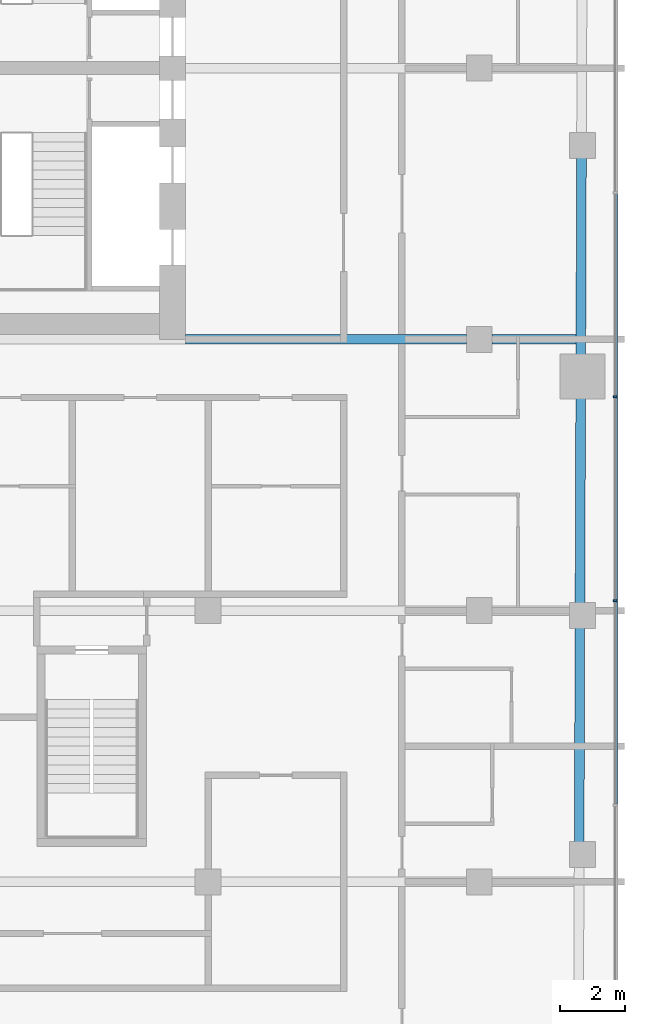
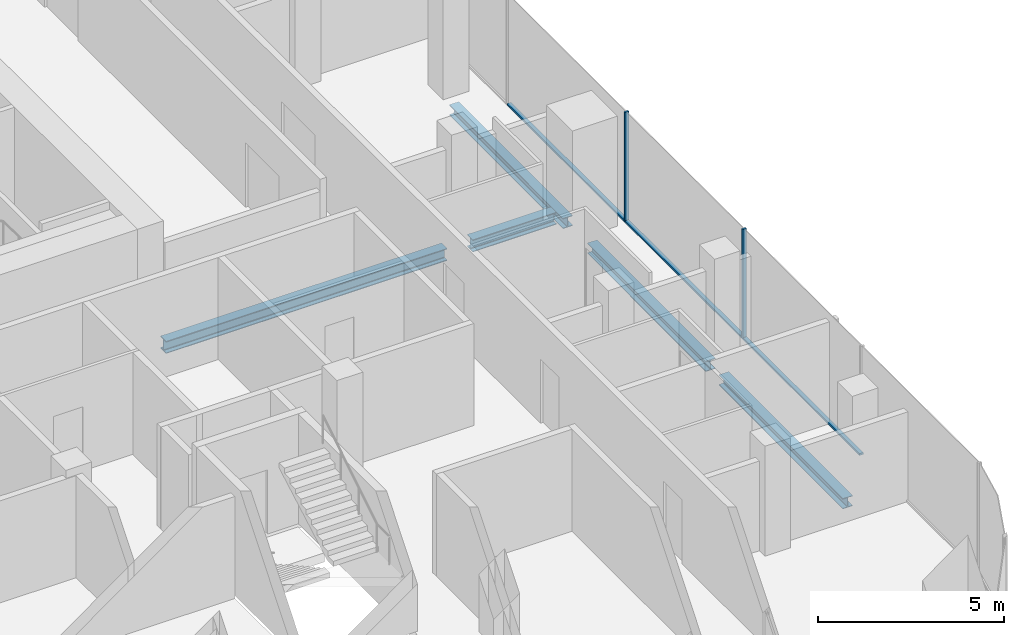
# One storey, part 7 of 22: 5 beams, 5 members, 1 element without a shape of its own.
"""IFC4 building model written with IfcOpenShell, lengths in metres."""

from ifc_helpers import new_model, si_unit, direction, frame, origin, origin_2d, place, context, subcontext, project, spatial, rectangle, i_section, extrude, material, layer, layer_set, material_profile, profile_set, type_object, element, aggregate, save


model = new_model("IFC4")

# Units and contexts
model_context = context("Model", 3, precision=1e-05, world=origin(), true_north=direction((0.0, 1.0)))
body_context = subcontext(model_context, "Body", "Model", "MODEL_VIEW")
ifc_project = project(units=[si_unit("LENGTHUNIT", "METRE"), si_unit("AREAUNIT", "SQUARE_METRE"), si_unit("VOLUMEUNIT", "CUBIC_METRE"), si_unit("PLANEANGLEUNIT", "RADIAN"), si_unit("MASSUNIT", "GRAM", prefix="KILO")], contexts=[model_context])

# Site, building, storey
site_placement = place(None, origin())
site = spatial("IfcSite", under=ifc_project, at=site_placement, CompositionType="ELEMENT")
building_placement = place(site_placement, origin())
building = spatial("IfcBuilding", under=site, at=building_placement, Name="Marenta Gate Hotel Tower", CompositionType="ELEMENT")
storey_placement = place(building_placement, frame((0.0, 0.0, 223.699951171875)))
storey = spatial("IfcBuildingStorey", under=building, at=storey_placement, Name="L52", CompositionType="ELEMENT", Elevation=223.699951171875)

# Beams
ifc_material_1 = material(Name="Steel S355", Category="steel")
ifc_material_profile_1 = material_profile(ifc_material_1, i_section(OverallWidth=0.300048828125, OverallDepth=0.340087890625, WebThickness=0.011962890625, FlangeThickness=0.021484375, FilletRadius=0.027099609375, at=origin_2d()), Name="HEB 340")
ifc_profile_set_1 = profile_set([ifc_material_profile_1], Name="Steel S355")
beam_type_1 = type_object("IfcBeamType", Name="Edge beam HEB 340", PredefinedType="SPANDREL", material=ifc_profile_set_1)
beam_1_placement = place(storey_placement, frame((24.164306640625, 5.643310546875, -0.429931640625), z_axis=(-0.003303859048, -0.999994542243, 0.0), x_axis=(0.999994542243, -0.003303859048, 0.0)))
element("IfcBeam", 1, at=beam_1_placement, inside=storey, type_object=beam_type_1, Name="L52-EB-24", PredefinedType="SPANDREL", context=body_context, shape_type="SweptSolid", body=[
    extrude(i_section(OverallWidth=0.300048828125, OverallDepth=0.340087890625, WebThickness=0.011962890625, FlangeThickness=0.021484375, FilletRadius=0.027099609375, at=origin_2d()), origin(), (0.0, 0.0, 1.0), 6.13330078125),
])
beam_2_placement = place(storey_placement, frame((24.1396484375, -1.81005859375, -0.429931640625), z_axis=(-0.003328723523, -0.999994459785, 0.0), x_axis=(0.999994459785, -0.003328723523, 0.0)))
element("IfcBeam", 2, at=beam_2_placement, inside=storey, type_object=beam_type_1, Name="L52-EB-25", PredefinedType="SPANDREL", context=body_context, shape_type="SweptSolid", body=[
    extrude(i_section(OverallWidth=0.300048828125, OverallDepth=0.340087890625, WebThickness=0.011962890625, FlangeThickness=0.021484375, FilletRadius=0.027099609375, at=origin_2d()), origin(), (0.0, 0.0, 1.0), 6.380859375),
])
beam_3_placement = place(storey_placement, frame((24.115966796875, -8.910888671875, -0.429931640625), z_axis=(-0.00332539729, -0.999994470851, 0.0), x_axis=(0.999994470851, -0.00332539729, 0.0)))
element("IfcBeam", 3, at=beam_3_placement, inside=storey, type_object=beam_type_1, Name="L52-EB-26", PredefinedType="SPANDREL", context=body_context, shape_type="SweptSolid", body=[
    extrude(i_section(OverallWidth=0.300048828125, OverallDepth=0.340087890625, WebThickness=0.011962890625, FlangeThickness=0.021484375, FilletRadius=0.027099609375, at=origin_2d()), origin(), (0.0, 0.0, 1.0), 6.680908203125),
])
ifc_material_2 = material(Name="Steel S355", Category="steel")
ifc_material_profile_2 = material_profile(ifc_material_2, i_section(OverallWidth=0.300048828125, OverallDepth=0.39990234375, WebThickness=0.013427734375, FlangeThickness=0.02392578125, FilletRadius=0.027099609375, at=origin_2d()), Name="HEB 400")
ifc_profile_set_2 = profile_set([ifc_material_profile_2], Name="Steel S355")
beam_type_2 = type_object("IfcBeamType", Name="Girder HEB 400", PredefinedType="BEAM", material=ifc_profile_set_2)
beam_4_placement = place(storey_placement, frame((11.89990234375, 0.0, -0.4599609375), z_axis=(1.0, 0.0, 0.0), x_axis=(0.0, 1.0, 0.0)))
element("IfcBeam", 4, at=beam_4_placement, inside=storey, type_object=beam_type_2, Name="L52-GD-23", PredefinedType="BEAM", context=body_context, shape_type="SweptSolid", body=[
    extrude(i_section(OverallWidth=0.300048828125, OverallDepth=0.39990234375, WebThickness=0.013427734375, FlangeThickness=0.02392578125, FilletRadius=0.027099609375, at=origin_2d()), origin(), (0.0, 0.0, 1.0), 8.7001953125),
])
beam_5_placement = place(storey_placement, frame((21.39990234375, 0.0, -0.4599609375), z_axis=(1.0, 0.0, 0.0), x_axis=(0.0, 1.0, 0.0)))
element("IfcBeam", 5, at=beam_5_placement, inside=storey, type_object=beam_type_2, Name="L52-GD-24", PredefinedType="BEAM", context=body_context, shape_type="SweptSolid", body=[
    extrude(i_section(OverallWidth=0.300048828125, OverallDepth=0.39990234375, WebThickness=0.013427734375, FlangeThickness=0.02392578125, FilletRadius=0.027099609375, at=origin_2d()), origin(), (0.0, 0.0, 1.0), 2.595703125),
])

# Curtain wall, members
ifc_material_3 = material(Name="Tinted insulated glass in bronze anodised frame", Category="glass")
ifc_layer = layer(ifc_material_3, 0.1201171875)
ifc_layer_set = layer_set([ifc_layer], Name="Tinted insulated glass in bronze anodised frame")
curtain_wall_type = type_object("IfcCurtainWallType", Name="Tower unitised curtain wall CW1", PredefinedType="NOTDEFINED", material=ifc_layer_set)
curtain_wall_placement = place(storey_placement, origin())
curtain_wall = element("IfcCurtainWall", 6, at=curtain_wall_placement, inside=storey, type_object=curtain_wall_type, Name="CW1 run G11", PredefinedType="NOTDEFINED")
ifc_material_4 = material(Name="Bronze anodised aluminium", Category="aluminium")
ifc_material_profile_3 = material_profile(ifc_material_4, rectangle(XDim=0.1201171875, YDim=0.06005859375, at=origin_2d()), Name="Mullion CW1 60x120 bronze anodised aluminium")
ifc_profile_set_3 = profile_set([ifc_material_profile_3], Name="Bronze anodised aluminium")
member_type_1 = type_object("IfcMemberType", Name="Mullion CW1 60x120 bronze anodised aluminium", PredefinedType="MULLION", material=ifc_profile_set_3)
member_1_placement = place(storey_placement, frame((25.214111328125, -8.0986328125, 0.0), z_axis=(0.0, 0.0, 1.0), x_axis=(-1.0, 0.0, 0.0)))
member_1 = element("IfcMember", 7, at=member_1_placement, type_object=member_type_1, Name="CW1 mullion 3", PredefinedType="MULLION", context=body_context, shape_type="SweptSolid", body=[
    extrude(rectangle(XDim=0.1201171875, YDim=0.06005859375, at=origin_2d()), origin(), (0.0, 0.0, 1.0), 3.60009765625),
])
member_2_placement = place(storey_placement, frame((25.214111328125, -1.77587890625, 0.0), z_axis=(0.0, 0.0, 1.0), x_axis=(-1.0, 0.0, 0.0)))
member_2 = element("IfcMember", 8, at=member_2_placement, type_object=member_type_1, Name="CW1 mullion 4", PredefinedType="MULLION", context=body_context, shape_type="SweptSolid", body=[
    extrude(rectangle(XDim=0.1201171875, YDim=0.06005859375, at=origin_2d()), origin(), (0.0, 0.0, 1.0), 3.60009765625),
])
ifc_material_5 = material(Name="Bronze anodised aluminium", Category="aluminium")
ifc_material_profile_4 = material_profile(ifc_material_5, rectangle(XDim=0.1201171875, YDim=0.06005859375, at=origin_2d()), Name="Transom CW1 60x120 bronze anodised aluminium")
ifc_profile_set_4 = profile_set([ifc_material_profile_4], Name="Bronze anodised aluminium")
member_type_2 = type_object("IfcMemberType", Name="Transom CW1 60x120 bronze anodised aluminium", PredefinedType="USERDEFINED", material=ifc_profile_set_4)
member_3_placement = place(storey_placement, frame((25.214111328125, -14.391357421875, 0.030029296875), z_axis=(0.0, 1.0, 0.0), x_axis=(-1.0, 0.0, 0.0)))
member_3 = element("IfcMember", 9, at=member_3_placement, type_object=member_type_2, Name="CW1 transom 2.1", ObjectType="TRANSOM", PredefinedType="USERDEFINED", context=body_context, shape_type="SweptSolid", body=[
    extrude(rectangle(XDim=0.1201171875, YDim=0.06005859375, at=origin_2d()), origin(), (0.0, 0.0, 1.0), 6.2626953125),
])
member_4_placement = place(storey_placement, frame((25.214111328125, -8.068603515625, 0.030029296875), z_axis=(0.0, 1.0, 0.0), x_axis=(-1.0, 0.0, 0.0)))
member_4 = element("IfcMember", 10, at=member_4_placement, type_object=member_type_2, Name="CW1 transom 3.1", ObjectType="TRANSOM", PredefinedType="USERDEFINED", context=body_context, shape_type="SweptSolid", body=[
    extrude(rectangle(XDim=0.1201171875, YDim=0.06005859375, at=origin_2d()), origin(), (0.0, 0.0, 1.0), 6.2626953125),
])
member_5_placement = place(storey_placement, frame((25.214111328125, -1.74609375, 0.030029296875), z_axis=(0.0, 1.0, 0.0), x_axis=(-1.0, 0.0, 0.0)))
member_5 = element("IfcMember", 11, at=member_5_placement, type_object=member_type_2, Name="CW1 transom 4.1", ObjectType="TRANSOM", PredefinedType="USERDEFINED", context=body_context, shape_type="SweptSolid", body=[
    extrude(rectangle(XDim=0.1201171875, YDim=0.06005859375, at=origin_2d()), origin(), (0.0, 0.0, 1.0), 6.2626953125),
])
aggregate(curtain_wall, [member_1, member_2, member_3, member_4, member_5])

save(model, "model.ifc")
